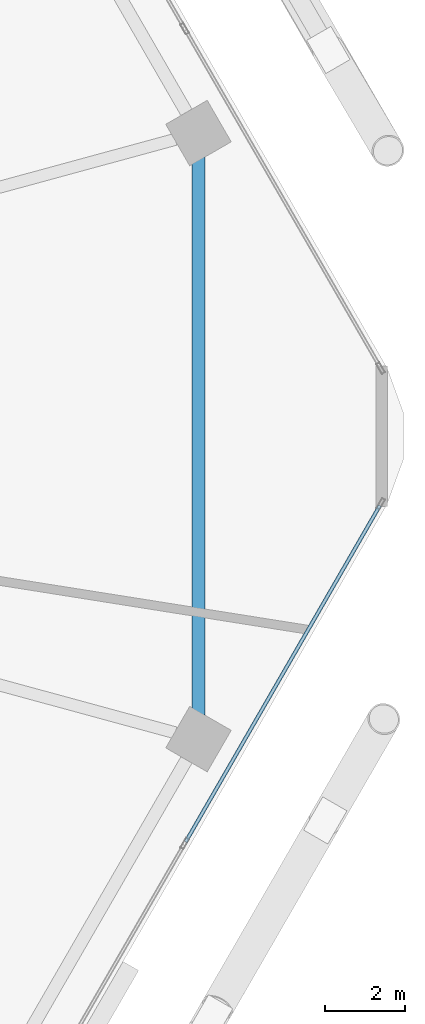
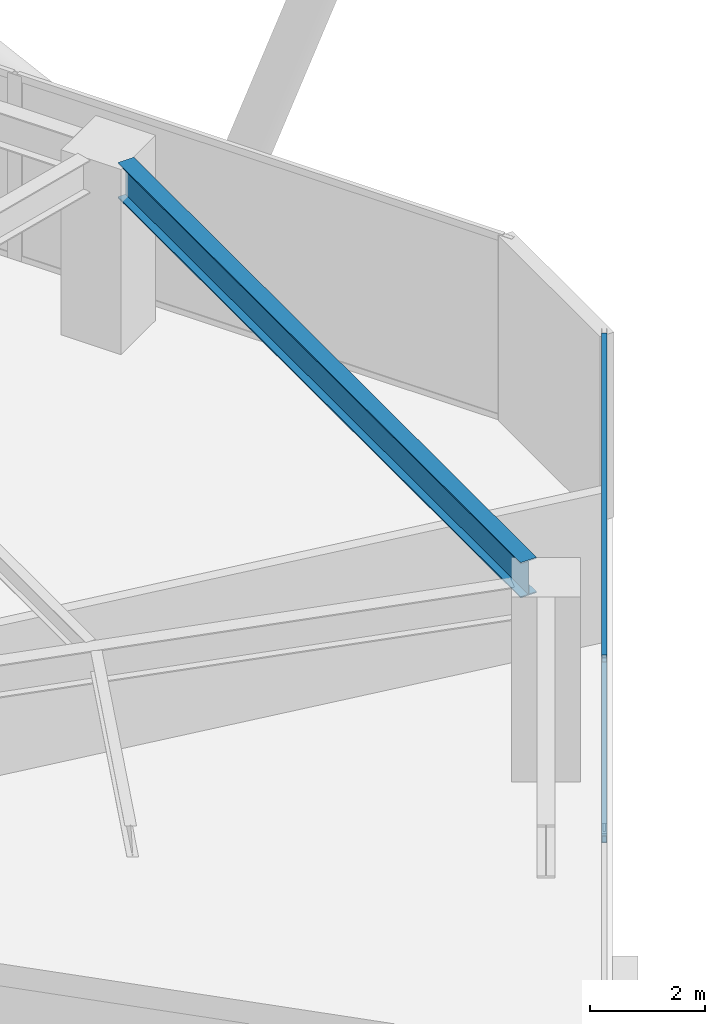
# One storey, part 12 of 30: 2 members, 1 beam, 1 element without a shape of its own.
"""IFC4 building model written with IfcOpenShell, lengths in metres."""

from ifc_helpers import new_model, si_unit, direction, frame, origin, origin_2d, place, context, subcontext, project, spatial, hollow_rectangle, i_section, extrude, material, material_profile, profile_set, type_object, element, aggregate, save


model = new_model("IFC4")

# Units and contexts
model_context = context("Model", 3, precision=1e-05, world=origin(), true_north=direction((0.0, 1.0)))
body_context = subcontext(model_context, "Body", "Model", "MODEL_VIEW")
ifc_project = project(units=[si_unit("LENGTHUNIT", "METRE"), si_unit("AREAUNIT", "SQUARE_METRE"), si_unit("VOLUMEUNIT", "CUBIC_METRE"), si_unit("PLANEANGLEUNIT", "RADIAN"), si_unit("MASSUNIT", "GRAM", prefix="KILO")], contexts=[model_context])

# Site, building, storey
site_placement = place(None, origin())
site = spatial("IfcSite", under=ifc_project, at=site_placement, CompositionType="ELEMENT")
building_placement = place(site_placement, origin())
building = spatial("IfcBuilding", under=site, at=building_placement, Name="Zuhravey Tower", CompositionType="ELEMENT")
storey_placement = place(building_placement, frame((0.0, 0.0, 33.0)))
storey = spatial("IfcBuildingStorey", under=building, at=storey_placement, Name="L08", CompositionType="ELEMENT", Elevation=33.0)

# Curtain wall, members
ifc_material_1 = material(Name="Thermally broken anodised aluminium", Category="aluminium")
curtain_wall_type = type_object("IfcCurtainWallType", Name="School Low-E Unitised Curtain Wall CW1", PredefinedType="NOTDEFINED", material=ifc_material_1)
curtain_wall_placement = place(storey_placement, origin())
curtain_wall = element("IfcCurtainWall", 1, at=curtain_wall_placement, inside=storey, type_object=curtain_wall_type, Name="L08 CW1 CW-L08-F6-1", PredefinedType="NOTDEFINED")
ifc_material_2 = material(Name="Anodised aluminium", Category="aluminium")
ifc_material_profile_1 = material_profile(ifc_material_2, hollow_rectangle(XDim=0.090087890625, YDim=0.14990234375, WallThickness=0.0048828125, at=origin_2d()), Name="ALU-RHS-90x150x5")
ifc_profile_set_1 = profile_set([ifc_material_profile_1], Name="Anodised aluminium")
member_type = type_object("IfcMemberType", Name="Curtain-Wall Transom 90x150", PredefinedType="USERDEFINED", material=ifc_profile_set_1)
member_1_placement = place(storey_placement, frame((68.43359375, 30.259521484375, 0.044921875), z_axis=(-0.500008393077, -0.866020557985, 0.0), x_axis=(0.866020557985, -0.500008393077, 0.0)))
member_1 = element("IfcMember", 2, at=member_1_placement, type_object=member_type, Name="CW1 transom 1.1", ObjectType="TRANSOM", PredefinedType="USERDEFINED", context=body_context, shape_type="SweptSolid", body=[
    extrude(hollow_rectangle(XDim=0.090087890625, YDim=0.14990234375, WallThickness=0.0048828125, at=origin_2d()), origin(), (0.0, 0.0, 1.0), 9.731201171875),
])
member_2_placement = place(storey_placement, frame((68.43359375, 30.259521484375, 3.875), z_axis=(-0.500008393077, -0.866020557985, 0.0), x_axis=(0.866020557985, -0.500008393077, 0.0)))
member_2 = element("IfcMember", 3, at=member_2_placement, type_object=member_type, Name="CW1 transom 1.2", ObjectType="TRANSOM", PredefinedType="USERDEFINED", context=body_context, shape_type="SweptSolid", body=[
    extrude(hollow_rectangle(XDim=0.090087890625, YDim=0.14990234375, WallThickness=0.0048828125, at=origin_2d()), origin(), (0.0, 0.0, 1.0), 9.731201171875),
])
aggregate(curtain_wall, [member_1, member_2])

# Beam
ifc_material_3 = material(Name="Steel SM355", Category="steel")
ifc_material_profile_2 = material_profile(ifc_material_3, i_section(OverallWidth=0.320068359375, OverallDepth=0.75, WebThickness=0.013916015625, FlangeThickness=0.02490234375, at=origin_2d()), Name="H-750x320x14x25")
ifc_profile_set_2 = profile_set([ifc_material_profile_2], Name="Steel SM355")
beam_type = type_object("IfcBeamType", Name="Perimeter Ring Beam H750x320", PredefinedType="BEAM", material=ifc_profile_set_2)
beam_placement = place(storey_placement, frame((63.88916015625, 25.011474609375, 3.544921875), z_axis=(0.0, 1.0, 0.0), x_axis=(-1.0, 0.0, 0.0)))
element("IfcBeam", 4, at=beam_placement, inside=storey, type_object=beam_type, Name="L08 PB1 BM-L08-PB-12", PredefinedType="BEAM", context=body_context, shape_type="SweptSolid", body=[
    extrude(i_section(OverallWidth=0.320068359375, OverallDepth=0.75, WebThickness=0.013916015625, FlangeThickness=0.02490234375, at=origin_2d()), origin(), (0.0, 0.0, 1.0), 13.97705078125),
])

save(model, "model.ifc")
